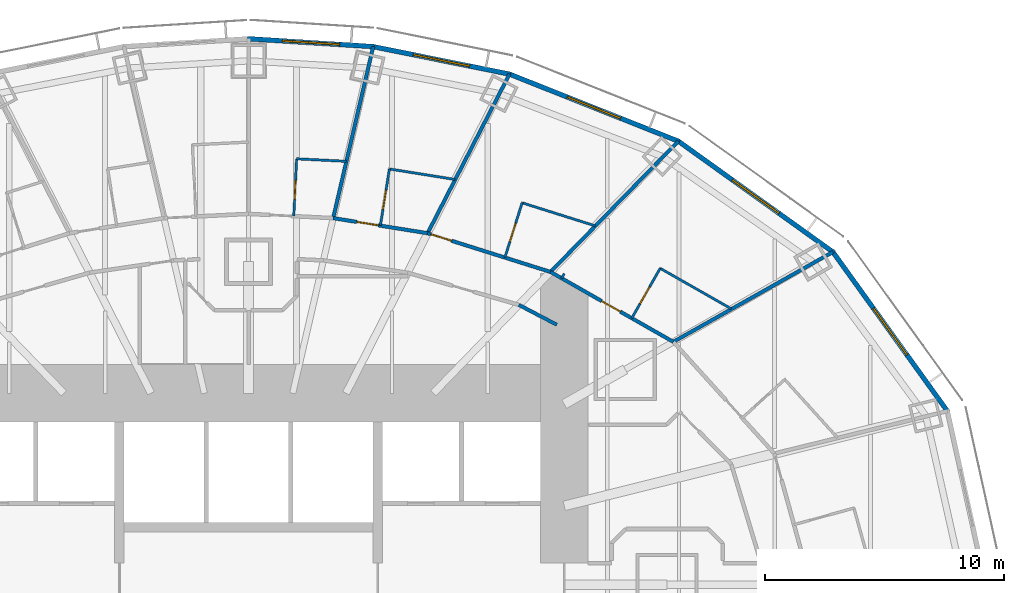
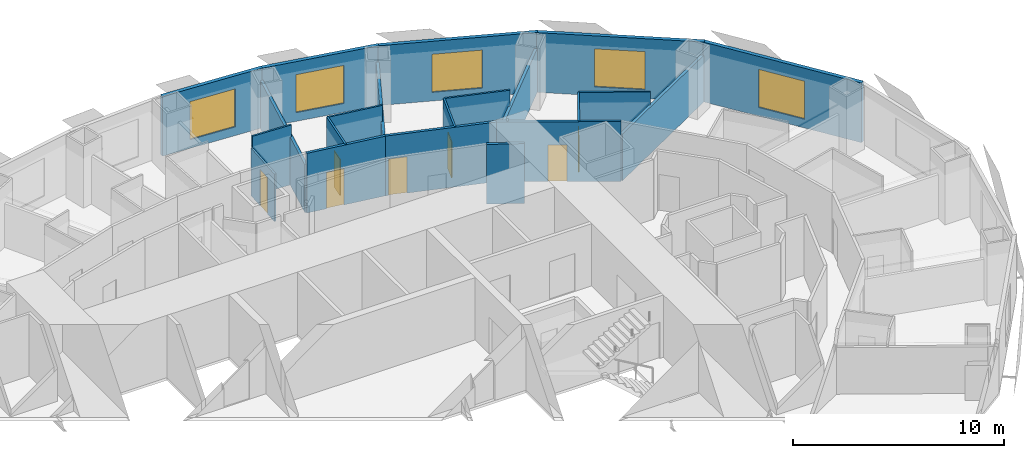
# One storey, part 11 of 17: 22 walls, 7 doors, 5 windows, 12 openings.
"""IFC4 building model written with IfcOpenShell, lengths in metres."""

from ifc_helpers import new_model, si_unit, direction, frame, frame_2d, origin, place, context, subcontext, project, spatial, rectangle, extrude, material, layer, layer_set, type_object, element, fill, save


model = new_model("IFC4")

# Units and contexts
model_context = context("Model", 3, precision=1e-05, world=origin(), true_north=direction((0.0, 1.0)))
body_context = subcontext(model_context, "Body", "Model", "MODEL_VIEW")
ifc_project = project(units=[si_unit("LENGTHUNIT", "METRE"), si_unit("AREAUNIT", "SQUARE_METRE"), si_unit("VOLUMEUNIT", "CUBIC_METRE"), si_unit("PLANEANGLEUNIT", "RADIAN"), si_unit("MASSUNIT", "GRAM", prefix="KILO")], contexts=[model_context])

# Site, building, storey
site_placement = place(None, origin())
site = spatial("IfcSite", under=ifc_project, at=site_placement, CompositionType="ELEMENT")
building_placement = place(site_placement, origin())
building = spatial("IfcBuilding", under=site, at=building_placement, Name="Lantaw Convention Tower", CompositionType="ELEMENT")
storey_placement = place(building_placement, frame((0.0, 0.0, 37.0)))
storey = spatial("IfcBuildingStorey", under=building, at=storey_placement, Name="L06", CompositionType="ELEMENT", Elevation=37.0)

# Wall, opening, door
ifc_material_1 = material(Name="Moisture resistant gypsum board on steel studs", Category="steel")
ifc_layer_1 = layer(ifc_material_1, 0.10009765625)
ifc_layer_set_1 = layer_set([ifc_layer_1], Name="Bathroom wall 100")
wall_type_1 = type_object("IfcWallType", Name="Bathroom wall 100", PredefinedType="PARTITIONING", material=ifc_layer_set_1)
wall_1_placement = place(storey_placement, frame((16.023193359375, 11.138671875, 0.0), z_axis=(0.0, 0.0, 1.0), x_axis=(0.494659381266, 0.869086932663, 0.0)))
wall_1 = element("IfcWall", 1, at=wall_1_placement, inside=storey, type_object=wall_type_1, Name="Bathroom wall 100", PredefinedType="PARTITIONING", context=body_context, shape_type="SweptSolid", body=[
    extrude(rectangle(XDim=2.400146484375, YDim=0.10009765625, at=frame_2d((1.2001953125, 0.0))), origin(), (0.0, 0.0, 1.0), 3.449951171875),
])
opening_1_placement = place(wall_1_placement, frame((0.699951171875, 0.0, 0.0)))
opening_1 = element("IfcOpeningElement", 2, at=opening_1_placement, cuts=wall_1, Name="Opening L06.29", PredefinedType="OPENING", context=body_context, shape_type="SweptSolid", body=[
    extrude(rectangle(XDim=0.800048828125, YDim=2.10009765625, at=frame_2d((0.39990234375, 1.050048828125))), frame((0.0, 0.06005859375, 0.0), z_axis=(0.0, -1.0, 0.0), x_axis=(1.0, 0.0, 0.0)), (0.0, 0.0, 1.0), 0.1201171875),
])
ifc_material_2 = material(Name="Timber", Category="wood")
door_type_1 = type_object("IfcDoorType", Name="Bathroom door 800", OperationType="SINGLE_SWING_LEFT", PredefinedType="DOOR", material=ifc_material_2)
door_1_placement = place(opening_1_placement, origin())
door_1 = element("IfcDoor", 3, at=door_1_placement, inside=storey, type_object=door_type_1, Name="Bathroom door", OperationType="SINGLE_SWING_LEFT", OverallHeight=2.10009765625, OverallWidth=0.800048828125, PredefinedType="DOOR", context=body_context, shape_type="SweptSolid", body=[
    extrude(rectangle(XDim=0.800048828125, YDim=2.10009765625, at=frame_2d((0.39990234375, 1.050048828125))), frame((0.0, 0.02490234375, 0.0), z_axis=(0.0, -1.0, 0.0), x_axis=(1.0, 0.0, 0.0)), (0.0, 0.0, 1.0), 0.050048828125),
])
fill(opening_1, door_1)

# Wall
wall_2_placement = place(storey_placement, frame((17.21044921875, 13.224609375, 0.0), z_axis=(0.0, 0.0, 1.0), x_axis=(0.869041592831, -0.494739032147, 0.0)))
element("IfcWall", 4, at=wall_2_placement, inside=storey, type_object=wall_type_1, Name="Bathroom wall 100", PredefinedType="PARTITIONING", context=body_context, shape_type="SweptSolid", body=[
    extrude(rectangle(XDim=3.419677734375, YDim=0.10009765625, at=frame_2d((1.7099609375, 0.0))), origin(), (0.0, 0.0, 1.0), 3.449951171875),
])

# Wall, opening, door
wall_3_placement = place(storey_placement, frame((10.71728515625, 13.67431640625, 0.0), z_axis=(0.0, 0.0, 1.0), x_axis=(0.30049839721, 0.953782319649, 0.0)))
wall_3 = element("IfcWall", 5, at=wall_3_placement, inside=storey, type_object=wall_type_1, Name="Bathroom wall 100", PredefinedType="PARTITIONING", context=body_context, shape_type="SweptSolid", body=[
    extrude(rectangle(XDim=2.39990234375, YDim=0.10009765625, at=frame_2d((1.199951171875, 0.0))), origin(), (0.0, 0.0, 1.0), 3.449951171875),
])
opening_2_placement = place(wall_3_placement, frame((0.699951171875, 0.0, 0.0)))
opening_2 = element("IfcOpeningElement", 6, at=opening_2_placement, cuts=wall_3, Name="Opening L06.31", PredefinedType="OPENING", context=body_context, shape_type="SweptSolid", body=[
    extrude(rectangle(XDim=0.800048828125, YDim=2.10009765625, at=frame_2d((0.39990234375, 1.050048828125))), frame((0.0, 0.06005859375, 0.0), z_axis=(0.0, -1.0, 0.0), x_axis=(1.0, 0.0, 0.0)), (0.0, 0.0, 1.0), 0.1201171875),
])
door_2_placement = place(opening_2_placement, origin())
door_2 = element("IfcDoor", 7, at=door_2_placement, inside=storey, type_object=door_type_1, Name="Bathroom door", OperationType="SINGLE_SWING_LEFT", OverallHeight=2.10009765625, OverallWidth=0.800048828125, PredefinedType="DOOR", context=body_context, shape_type="SweptSolid", body=[
    extrude(rectangle(XDim=0.800048828125, YDim=2.10009765625, at=frame_2d((0.39990234375, 1.050048828125))), frame((0.0, 0.02490234375, 0.0), z_axis=(0.0, -1.0, 0.0), x_axis=(1.0, 0.0, 0.0)), (0.0, 0.0, 1.0), 0.050048828125),
])
fill(opening_2, door_2)

# Wall
wall_4_placement = place(storey_placement, frame((11.4384765625, 15.96337890625, 0.0), z_axis=(0.0, 0.0, 1.0), x_axis=(0.953784420519, -0.300491728963, 0.0)))
element("IfcWall", 8, at=wall_4_placement, inside=storey, type_object=wall_type_1, Name="Bathroom wall 100", PredefinedType="PARTITIONING", context=body_context, shape_type="SweptSolid", body=[
    extrude(rectangle(XDim=3.197021484375, YDim=0.10009765625, at=frame_2d((1.5986328125, 0.0))), origin(), (0.0, 0.0, 1.0), 3.449951171875),
])

# Wall, opening, door
wall_5_placement = place(storey_placement, frame((5.51123046875, 15.008056640625, 0.0), z_axis=(0.0, 0.0, 1.0), x_axis=(0.157780217218, 0.987474254376, 0.0)))
wall_5 = element("IfcWall", 9, at=wall_5_placement, inside=storey, type_object=wall_type_1, Name="Bathroom wall 100", PredefinedType="PARTITIONING", context=body_context, shape_type="SweptSolid", body=[
    extrude(rectangle(XDim=2.39990234375, YDim=0.10009765625, at=frame_2d((1.199951171875, 0.0))), origin(), (0.0, 0.0, 1.0), 3.449951171875),
])
opening_3_placement = place(wall_5_placement, frame((0.699951171875, 0.0, 0.0)))
opening_3 = element("IfcOpeningElement", 10, at=opening_3_placement, cuts=wall_5, Name="Opening L06.33", PredefinedType="OPENING", context=body_context, shape_type="SweptSolid", body=[
    extrude(rectangle(XDim=0.800048828125, YDim=2.10009765625, at=frame_2d((0.39990234375, 1.050048828125))), frame((0.0, 0.06005859375, 0.0), z_axis=(0.0, -1.0, 0.0), x_axis=(1.0, 0.0, 0.0)), (0.0, 0.0, 1.0), 0.1201171875),
])
door_3_placement = place(opening_3_placement, origin())
door_3 = element("IfcDoor", 11, at=door_3_placement, inside=storey, type_object=door_type_1, Name="Bathroom door", OperationType="SINGLE_SWING_LEFT", OverallHeight=2.10009765625, OverallWidth=0.800048828125, PredefinedType="DOOR", context=body_context, shape_type="SweptSolid", body=[
    extrude(rectangle(XDim=0.800048828125, YDim=2.10009765625, at=frame_2d((0.39990234375, 1.050048828125))), frame((0.0, 0.02490234375, 0.0), z_axis=(0.0, -1.0, 0.0), x_axis=(1.0, 0.0, 0.0)), (0.0, 0.0, 1.0), 0.050048828125),
])
fill(opening_3, door_3)

# Wall
wall_6_placement = place(storey_placement, frame((5.889892578125, 17.3779296875, 0.0), z_axis=(0.0, 0.0, 1.0), x_axis=(0.987476824576, -0.15776413067, 0.0)))
element("IfcWall", 12, at=wall_6_placement, inside=storey, type_object=wall_type_1, Name="Bathroom wall 100", PredefinedType="PARTITIONING", context=body_context, shape_type="SweptSolid", body=[
    extrude(rectangle(XDim=2.776123046875, YDim=0.10009765625, at=frame_2d((1.38818359375, 0.0))), origin(), (0.0, 0.0, 1.0), 3.449951171875),
])

# Wall, opening, door
wall_7_placement = place(storey_placement, frame((1.8896484375, 15.40576171875, 0.0), z_axis=(0.0, 0.0, 1.0), x_axis=(0.049947764234, 0.998751831462, 0.0)))
wall_7 = element("IfcWall", 13, at=wall_7_placement, inside=storey, type_object=wall_type_1, Name="Bathroom wall 100", PredefinedType="PARTITIONING", context=body_context, shape_type="SweptSolid", body=[
    extrude(rectangle(XDim=2.39990234375, YDim=0.10009765625, at=frame_2d((1.199951171875, 0.0))), origin(), (0.0, 0.0, 1.0), 2.7490234375),
])
opening_4_placement = place(wall_7_placement, frame((0.699951171875, 0.0, 0.0)))
opening_4 = element("IfcOpeningElement", 14, at=opening_4_placement, cuts=wall_7, Name="Opening L06.35", PredefinedType="OPENING", context=body_context, shape_type="SweptSolid", body=[
    extrude(rectangle(XDim=0.800048828125, YDim=2.10009765625, at=frame_2d((0.39990234375, 1.050048828125))), frame((0.0, 0.06005859375, 0.0), z_axis=(0.0, -1.0, 0.0), x_axis=(1.0, 0.0, 0.0)), (0.0, 0.0, 1.0), 0.1201171875),
])
door_4_placement = place(opening_4_placement, origin())
door_4 = element("IfcDoor", 15, at=door_4_placement, inside=storey, type_object=door_type_1, Name="Bathroom door", OperationType="SINGLE_SWING_LEFT", OverallHeight=2.10009765625, OverallWidth=0.800048828125, PredefinedType="DOOR", context=body_context, shape_type="SweptSolid", body=[
    extrude(rectangle(XDim=0.800048828125, YDim=2.10009765625, at=frame_2d((0.39990234375, 1.050048828125))), frame((0.0, 0.02490234375, 0.0), z_axis=(0.0, -1.0, 0.0), x_axis=(1.0, 0.0, 0.0)), (0.0, 0.0, 1.0), 0.050048828125),
])
fill(opening_4, door_4)

# Wall
wall_8_placement = place(storey_placement, frame((2.009521484375, 17.802734375, 0.0), z_axis=(0.0, 0.0, 1.0), x_axis=(0.998754095132, -0.049902479477, 0.0)))
element("IfcWall", 16, at=wall_8_placement, inside=storey, type_object=wall_type_1, Name="Bathroom wall 100", PredefinedType="PARTITIONING", context=body_context, shape_type="SweptSolid", body=[
    extrude(rectangle(XDim=2.079345703125, YDim=0.10009765625, at=frame_2d((1.03955078125, 0.0))), origin(), (0.0, 0.0, 1.0), 3.449951171875),
])

# Wall, opening, door
ifc_material_3 = material(Name="Gypsum board on steel studs, fire rated", Category="steel")
ifc_layer_2 = layer(ifc_material_3, 0.14990234375)
ifc_layer_set_2 = layer_set([ifc_layer_2], Name="Corridor wall 150 EI 60")
wall_type_2 = type_object("IfcWallType", Name="Corridor wall 150 EI 60", PredefinedType="PARTITIONING", material=ifc_layer_set_2)
wall_9_placement = place(storey_placement, frame((17.761474609375, 10.1494140625, 0.0), z_axis=(0.0, 0.0, 1.0), x_axis=(-0.86907565943, 0.494679187136, 0.0)))
wall_9 = element("IfcWall", 17, at=wall_9_placement, inside=storey, type_object=wall_type_2, Name="Corridor wall 150", PredefinedType="PARTITIONING", context=body_context, shape_type="SweptSolid", body=[
    extrude(rectangle(XDim=5.91064453125, YDim=0.14990234375, at=frame_2d((2.955322265625, 0.0))), origin(), (0.0, 0.0, 1.0), 3.449951171875),
])
opening_5_placement = place(wall_9_placement, frame((2.550048828125, 0.0, 0.0)))
opening_5 = element("IfcOpeningElement", 18, at=opening_5_placement, cuts=wall_9, Name="Opening L06.30", PredefinedType="OPENING", context=body_context, shape_type="SweptSolid", body=[
    extrude(rectangle(XDim=0.89990234375, YDim=2.10009765625, at=frame_2d((0.449951171875, 1.050048828125))), frame((0.0, 0.0849609375, 0.0), z_axis=(0.0, -1.0, 0.0), x_axis=(1.0, 0.0, 0.0)), (0.0, 0.0, 1.0), 0.169921875),
])
ifc_material_4 = material(Name="Steel, fire rated", Category="steel")
door_type_2 = type_object("IfcDoorType", Name="Guest room entrance door FD30S", OperationType="SINGLE_SWING_LEFT", PredefinedType="DOOR", material=ifc_material_4)
door_5_placement = place(opening_5_placement, origin())
door_5 = element("IfcDoor", 19, at=door_5_placement, inside=storey, type_object=door_type_2, Name="Guest room entrance door", OperationType="SINGLE_SWING_LEFT", OverallHeight=2.10009765625, OverallWidth=0.89990234375, PredefinedType="DOOR", context=body_context, shape_type="SweptSolid", body=[
    extrude(rectangle(XDim=0.89990234375, YDim=2.10009765625, at=frame_2d((0.449951171875, 1.050048828125))), frame((0.0, 0.02490234375, 0.0), z_axis=(0.0, -1.0, 0.0), x_axis=(1.0, 0.0, 0.0)), (0.0, 0.0, 1.0), 0.050048828125),
])
fill(opening_5, door_5)

wall_10_placement = place(storey_placement, frame((12.624755859375, 13.0732421875, 0.0), z_axis=(0.0, 0.0, 1.0), x_axis=(-0.953774229808, 0.30052407317, 0.0)))
wall_10 = element("IfcWall", 20, at=wall_10_placement, inside=storey, type_object=wall_type_2, Name="Corridor wall 150", PredefinedType="PARTITIONING", context=body_context, shape_type="SweptSolid", body=[
    extrude(rectangle(XDim=5.3876953125, YDim=0.14990234375, at=frame_2d((2.69384765625, 0.0))), origin(), (0.0, 0.0, 1.0), 3.449951171875),
])
opening_6_placement = place(wall_10_placement, frame((4.337646484375, 0.0, 0.0)))
opening_6 = element("IfcOpeningElement", 21, at=opening_6_placement, cuts=wall_10, Name="Opening L06.32", PredefinedType="OPENING", context=body_context, shape_type="SweptSolid", body=[
    extrude(rectangle(XDim=0.89990234375, YDim=2.10009765625, at=frame_2d((0.449951171875, 1.050048828125))), frame((0.0, 0.0849609375, 0.0), z_axis=(0.0, -1.0, 0.0), x_axis=(1.0, 0.0, 0.0)), (0.0, 0.0, 1.0), 0.169921875),
])
door_6_placement = place(opening_6_placement, origin())
door_6 = element("IfcDoor", 22, at=door_6_placement, inside=storey, type_object=door_type_2, Name="Guest room entrance door", OperationType="SINGLE_SWING_LEFT", OverallHeight=2.10009765625, OverallWidth=0.89990234375, PredefinedType="DOOR", context=body_context, shape_type="SweptSolid", body=[
    extrude(rectangle(XDim=0.89990234375, YDim=2.10009765625, at=frame_2d((0.449951171875, 1.050048828125))), frame((0.0, 0.02490234375, 0.0), z_axis=(0.0, -1.0, 0.0), x_axis=(1.0, 0.0, 0.0)), (0.0, 0.0, 1.0), 0.050048828125),
])
fill(opening_6, door_6)

wall_11_placement = place(storey_placement, frame((7.486083984375, 14.6923828125, 0.0), z_axis=(0.0, 0.0, 1.0), x_axis=(-0.987475660646, 0.157771415761, 0.0)))
wall_11 = element("IfcWall", 23, at=wall_11_placement, inside=storey, type_object=wall_type_2, Name="Corridor wall 150", PredefinedType="PARTITIONING", context=body_context, shape_type="SweptSolid", body=[
    extrude(rectangle(XDim=3.99853515625, YDim=0.14990234375, at=frame_2d((1.999267578125, 0.0))), origin(), (0.0, 0.0, 1.0), 3.449951171875),
])
opening_7_placement = place(wall_11_placement, frame((2.10009765625, 0.0, 0.0)))
opening_7 = element("IfcOpeningElement", 24, at=opening_7_placement, cuts=wall_11, Name="Opening L06.34", PredefinedType="OPENING", context=body_context, shape_type="SweptSolid", body=[
    extrude(rectangle(XDim=0.89990234375, YDim=2.10009765625, at=frame_2d((0.449951171875, 1.050048828125))), frame((0.0, 0.0849609375, 0.0), z_axis=(0.0, -1.0, 0.0), x_axis=(1.0, 0.0, 0.0)), (0.0, 0.0, 1.0), 0.169921875),
])
door_7_placement = place(opening_7_placement, origin())
door_7 = element("IfcDoor", 25, at=door_7_placement, inside=storey, type_object=door_type_2, Name="Guest room entrance door", OperationType="SINGLE_SWING_LEFT", OverallHeight=2.10009765625, OverallWidth=0.89990234375, PredefinedType="DOOR", context=body_context, shape_type="SweptSolid", body=[
    extrude(rectangle(XDim=0.89990234375, YDim=2.10009765625, at=frame_2d((0.449951171875, 1.050048828125))), frame((0.0, 0.02490234375, 0.0), z_axis=(0.0, -1.0, 0.0), x_axis=(1.0, 0.0, 0.0)), (0.0, 0.0, 1.0), 0.050048828125),
])
fill(opening_7, door_7)

# Wall
wall_12_placement = place(storey_placement, frame((12.889892578125, 10.86474609375, 0.0), z_axis=(0.0, 0.0, 1.0), x_axis=(-0.886301440762, 0.463108795104, 0.0)))
element("IfcWall", 26, at=wall_12_placement, inside=storey, type_object=wall_type_2, Name="Corridor wall 150", PredefinedType="PARTITIONING", context=body_context, shape_type="SweptSolid", body=[
    extrude(rectangle(XDim=1.798095703125, YDim=0.14990234375, at=frame_2d((0.89892578125, 0.0))), origin(), (0.0, 0.0, 1.0), 3.449951171875),
])

# Wall, opening, window
ifc_material_5 = material(Name="Insulated aluminium panel on steel frame", Category="steel")
ifc_layer_3 = layer(ifc_material_5, 0.199951171875)
ifc_layer_set_3 = layer_set([ifc_layer_3], Name="External wall 200")
wall_type_3 = type_object("IfcWallType", Name="External wall 200", PredefinedType="SOLIDWALL", material=ifc_layer_set_3)
wall_13_placement = place(storey_placement, frame((29.260498046875, 7.199951171875, 0.0), z_axis=(0.0, 0.0, 1.0), x_axis=(-0.583937613703, 0.811798536155, 0.0)))
wall_13 = element("IfcWall", 27, at=wall_13_placement, inside=storey, type_object=wall_type_3, Name="Facade panel wall", PredefinedType="SOLIDWALL", context=body_context, shape_type="SweptSolid", body=[
    extrude(rectangle(XDim=8.322998046875, YDim=0.199951171875, at=frame_2d((4.16162109375, 0.0))), origin(), (0.0, 0.0, 1.0), 3.449951171875),
])
opening_8_placement = place(wall_13_placement, frame((2.96142578125, 0.0, 0.5)))
opening_8 = element("IfcOpeningElement", 28, at=opening_8_placement, cuts=wall_13, Name="Opening W1", PredefinedType="OPENING", context=body_context, shape_type="SweptSolid", body=[
    extrude(rectangle(XDim=2.39990234375, YDim=2.199951171875, at=frame_2d((1.199951171875, 1.10009765625))), frame((0.0, 0.10986328125, 0.0), z_axis=(0.0, -1.0, 0.0), x_axis=(1.0, 0.0, 0.0)), (0.0, 0.0, 1.0), 0.219970703125),
])
ifc_material_6 = material(Name="Aluminium frame, clear insulating glass", Category="aluminium")
window_type = type_object("IfcWindowType", Name="Guest room window 2400x2200", PartitioningType="SINGLE_PANEL", PredefinedType="WINDOW", material=ifc_material_6)
window_1_placement = place(opening_8_placement, origin())
window_1 = element("IfcWindow", 29, at=window_1_placement, inside=storey, type_object=window_type, Name="Guest room window", OverallHeight=2.199951171875, OverallWidth=2.39990234375, PartitioningType="SINGLE_PANEL", PredefinedType="WINDOW", context=body_context, shape_type="SweptSolid", body=[
    extrude(rectangle(XDim=2.39990234375, YDim=2.199951171875, at=frame_2d((1.199951171875, 1.10009765625))), frame((0.0, 0.030029296875, 0.0), z_axis=(0.0, -1.0, 0.0), x_axis=(1.0, 0.0, 0.0)), (0.0, 0.0, 1.0), 0.06005859375),
])
fill(opening_8, window_1)

wall_14_placement = place(storey_placement, frame((24.482421875, 13.87451171875, 0.0), z_axis=(0.0, 0.0, 1.0), x_axis=(-0.812791321576, 0.582554948112, 0.0)))
wall_14 = element("IfcWall", 30, at=wall_14_placement, inside=storey, type_object=wall_type_3, Name="Facade panel wall", PredefinedType="SOLIDWALL", context=body_context, shape_type="SweptSolid", body=[
    extrude(rectangle(XDim=8.063232421875, YDim=0.199951171875, at=frame_2d((4.03173828125, 0.0))), origin(), (0.0, 0.0, 1.0), 3.449951171875),
])
opening_9_placement = place(wall_14_placement, frame((2.83154296875, 0.0, 0.5)))
opening_9 = element("IfcOpeningElement", 31, at=opening_9_placement, cuts=wall_14, Name="Opening W1", PredefinedType="OPENING", context=body_context, shape_type="SweptSolid", body=[
    extrude(rectangle(XDim=2.39990234375, YDim=2.199951171875, at=frame_2d((1.199951171875, 1.10009765625))), frame((0.0, 0.10986328125, 0.0), z_axis=(0.0, -1.0, 0.0), x_axis=(1.0, 0.0, 0.0)), (0.0, 0.0, 1.0), 0.219970703125),
])
window_2_placement = place(opening_9_placement, origin())
window_2 = element("IfcWindow", 32, at=window_2_placement, inside=storey, type_object=window_type, Name="Guest room window", OverallHeight=2.199951171875, OverallWidth=2.39990234375, PartitioningType="SINGLE_PANEL", PredefinedType="WINDOW", context=body_context, shape_type="SweptSolid", body=[
    extrude(rectangle(XDim=2.39990234375, YDim=2.199951171875, at=frame_2d((1.199951171875, 1.10009765625))), frame((0.0, 0.030029296875, 0.0), z_axis=(0.0, -1.0, 0.0), x_axis=(1.0, 0.0, 0.0)), (0.0, 0.0, 1.0), 0.06005859375),
])
fill(opening_9, window_2)

wall_15_placement = place(storey_placement, frame((18.018310546875, 18.522705078125, 0.0), z_axis=(0.0, 0.0, 1.0), x_axis=(-0.929358351251, 0.369178892895, 0.0)))
wall_15 = element("IfcWall", 33, at=wall_15_placement, inside=storey, type_object=wall_type_3, Name="Facade panel wall", PredefinedType="SOLIDWALL", context=body_context, shape_type="SweptSolid", body=[
    extrude(rectangle(XDim=7.6923828125, YDim=0.199951171875, at=frame_2d((3.84619140625, 0.0))), origin(), (0.0, 0.0, 1.0), 3.449951171875),
])
opening_10_placement = place(wall_15_placement, frame((2.64599609375, 0.0, 0.5)))
opening_10 = element("IfcOpeningElement", 34, at=opening_10_placement, cuts=wall_15, Name="Opening W1", PredefinedType="OPENING", context=body_context, shape_type="SweptSolid", body=[
    extrude(rectangle(XDim=2.39990234375, YDim=2.199951171875, at=frame_2d((1.199951171875, 1.10009765625))), frame((0.0, 0.10986328125, 0.0), z_axis=(0.0, -1.0, 0.0), x_axis=(1.0, 0.0, 0.0)), (0.0, 0.0, 1.0), 0.219970703125),
])
window_3_placement = place(opening_10_placement, origin())
window_3 = element("IfcWindow", 35, at=window_3_placement, inside=storey, type_object=window_type, Name="Guest room window", OverallHeight=2.199951171875, OverallWidth=2.39990234375, PartitioningType="SINGLE_PANEL", PredefinedType="WINDOW", context=body_context, shape_type="SweptSolid", body=[
    extrude(rectangle(XDim=2.39990234375, YDim=2.199951171875, at=frame_2d((1.199951171875, 1.10009765625))), frame((0.0, 0.030029296875, 0.0), z_axis=(0.0, -1.0, 0.0), x_axis=(1.0, 0.0, 0.0)), (0.0, 0.0, 1.0), 0.06005859375),
])
fill(opening_10, window_3)

wall_16_placement = place(storey_placement, frame((10.956787109375, 21.336669921875, 0.0), z_axis=(0.0, 0.0, 1.0), x_axis=(-0.980251657452, 0.197754110105, 0.0)))
wall_16 = element("IfcWall", 36, at=wall_16_placement, inside=storey, type_object=wall_type_3, Name="Facade panel wall", PredefinedType="SOLIDWALL", context=body_context, shape_type="SweptSolid", body=[
    extrude(rectangle(XDim=5.90380859375, YDim=0.199951171875, at=frame_2d((2.951904296875, 0.0))), origin(), (0.0, 0.0, 1.0), 3.449951171875),
])
opening_11_placement = place(wall_16_placement, frame((1.751708984375, 0.0, 0.5)))
opening_11 = element("IfcOpeningElement", 37, at=opening_11_placement, cuts=wall_16, Name="Opening W1", PredefinedType="OPENING", context=body_context, shape_type="SweptSolid", body=[
    extrude(rectangle(XDim=2.39990234375, YDim=2.199951171875, at=frame_2d((1.199951171875, 1.10009765625))), frame((0.0, 0.10986328125, 0.0), z_axis=(0.0, -1.0, 0.0), x_axis=(1.0, 0.0, 0.0)), (0.0, 0.0, 1.0), 0.219970703125),
])
window_4_placement = place(opening_11_placement, origin())
window_4 = element("IfcWindow", 38, at=window_4_placement, inside=storey, type_object=window_type, Name="Guest room window", OverallHeight=2.199951171875, OverallWidth=2.39990234375, PartitioningType="SINGLE_PANEL", PredefinedType="WINDOW", context=body_context, shape_type="SweptSolid", body=[
    extrude(rectangle(XDim=2.39990234375, YDim=2.199951171875, at=frame_2d((1.199951171875, 1.10009765625))), frame((0.0, 0.030029296875, 0.0), z_axis=(0.0, -1.0, 0.0), x_axis=(1.0, 0.0, 0.0)), (0.0, 0.0, 1.0), 0.06005859375),
])
fill(opening_11, window_4)

wall_17_placement = place(storey_placement, frame((5.252685546875, 22.493408203125, 0.0), z_axis=(0.0, 0.0, 1.0), x_axis=(-0.998018582375, 0.062919863585, 0.0)))
wall_17 = element("IfcWall", 39, at=wall_17_placement, inside=storey, type_object=wall_type_3, Name="Facade panel wall", PredefinedType="SOLIDWALL", context=body_context, shape_type="SweptSolid", body=[
    extrude(rectangle(XDim=5.30419921875, YDim=0.199951171875, at=frame_2d((2.652099609375, 0.0))), origin(), (0.0, 0.0, 1.0), 3.449951171875),
])
opening_12_placement = place(wall_17_placement, frame((1.4521484375, 0.0, 0.5)))
opening_12 = element("IfcOpeningElement", 40, at=opening_12_placement, cuts=wall_17, Name="Opening W1", PredefinedType="OPENING", context=body_context, shape_type="SweptSolid", body=[
    extrude(rectangle(XDim=2.39990234375, YDim=2.199951171875, at=frame_2d((1.199951171875, 1.10009765625))), frame((0.0, 0.10986328125, 0.0), z_axis=(0.0, -1.0, 0.0), x_axis=(1.0, 0.0, 0.0)), (0.0, 0.0, 1.0), 0.219970703125),
])
window_5_placement = place(opening_12_placement, origin())
window_5 = element("IfcWindow", 41, at=window_5_placement, inside=storey, type_object=window_type, Name="Guest room window", OverallHeight=2.199951171875, OverallWidth=2.39990234375, PartitioningType="SINGLE_PANEL", PredefinedType="WINDOW", context=body_context, shape_type="SweptSolid", body=[
    extrude(rectangle(XDim=2.39990234375, YDim=2.199951171875, at=frame_2d((1.199951171875, 1.10009765625))), frame((0.0, 0.030029296875, 0.0), z_axis=(0.0, -1.0, 0.0), x_axis=(1.0, 0.0, 0.0)), (0.0, 0.0, 1.0), 0.06005859375),
])
fill(opening_12, window_5)

# Walls
ifc_material_7 = material(Name="Gypsum board on steel studs, acoustic", Category="steel")
ifc_layer_4 = layer(ifc_material_7, 0.14990234375)
ifc_layer_set_4 = layer_set([ifc_layer_4], Name="Guest room party wall 150")
wall_type_4 = type_object("IfcWallType", Name="Guest room party wall 150", PredefinedType="PARTITIONING", material=ifc_layer_set_4)
wall_18_placement = place(storey_placement, frame((24.434814453125, 13.90869140625, 0.0), z_axis=(0.0, 0.0, 1.0), x_axis=(-0.871267209855, -0.490808974074, 0.0)))
element("IfcWall", 42, at=wall_18_placement, inside=storey, type_object=wall_type_4, Name="Guest room party wall 150", PredefinedType="PARTITIONING", context=body_context, shape_type="SweptSolid", body=[
    extrude(rectangle(XDim=7.659423828125, YDim=0.14990234375, at=frame_2d((3.82958984375, 0.0))), origin(), (0.0, 0.0, 1.0), 2.693115234375),
])
wall_19_placement = place(storey_placement, frame((17.970458984375, 18.541748046875, 0.0), z_axis=(0.0, 0.0, 1.0), x_axis=(-0.699032031211, -0.715090357467, 0.0)))
element("IfcWall", 43, at=wall_19_placement, inside=storey, type_object=wall_type_4, Name="Guest room party wall 150", PredefinedType="PARTITIONING", context=body_context, shape_type="SweptSolid", body=[
    extrude(rectangle(XDim=7.647216796875, YDim=0.14990234375, at=frame_2d((3.82373046875, 0.0))), origin(), (0.0, 0.0, 1.0), 2.528076171875),
])
wall_20_placement = place(storey_placement, frame((10.911865234375, 21.345703125, 0.0), z_axis=(0.0, 0.0, 1.0), x_axis=(-0.45777845119, -0.889066302154, 0.0)))
element("IfcWall", 44, at=wall_20_placement, inside=storey, type_object=wall_type_4, Name="Guest room party wall 150", PredefinedType="PARTITIONING", context=body_context, shape_type="SweptSolid", body=[
    extrude(rectangle(XDim=7.4833984375, YDim=0.14990234375, at=frame_2d((3.74169921875, 0.0))), origin(), (0.0, 0.0, 1.0), 2.528076171875),
])
wall_21_placement = place(storey_placement, frame((5.2109375, 22.495849609375, 0.0), z_axis=(0.0, 0.0, 1.0), x_axis=(-0.227195035564, -0.973849277771, 0.0)))
element("IfcWall", 45, at=wall_21_placement, inside=storey, type_object=wall_type_4, Name="Guest room party wall 150", PredefinedType="PARTITIONING", context=body_context, shape_type="SweptSolid", body=[
    extrude(rectangle(XDim=7.365234375, YDim=0.14990234375, at=frame_2d((3.6826171875, 0.0))), origin(), (0.0, 0.0, 1.0), 2.766845703125),
])
ifc_layer_5 = layer(ifc_material_7, 0.10009765625)
ifc_layer_set_5 = layer_set([ifc_layer_5], Name="Office partition 100")
wall_type_5 = type_object("IfcWallType", Name="Office partition 100", PredefinedType="PARTITIONING", material=ifc_layer_set_5)
wall_22_placement = place(storey_placement, frame((13.199951171875, 13.0, 0.0), z_axis=(0.0, 0.0, 1.0), x_axis=(-0.49435138335, -0.869262164011, 0.0)))
element("IfcWall", 46, at=wall_22_placement, inside=storey, type_object=wall_type_5, Name="Office partition 100", PredefinedType="PARTITIONING", context=body_context, shape_type="SweptSolid", body=[
    extrude(rectangle(XDim=0.220703125, YDim=0.10009765625, at=frame_2d((0.1103515625, 0.0))), origin(), (0.0, 0.0, 1.0), 3.449951171875),
])

save(model, "model.ifc")
